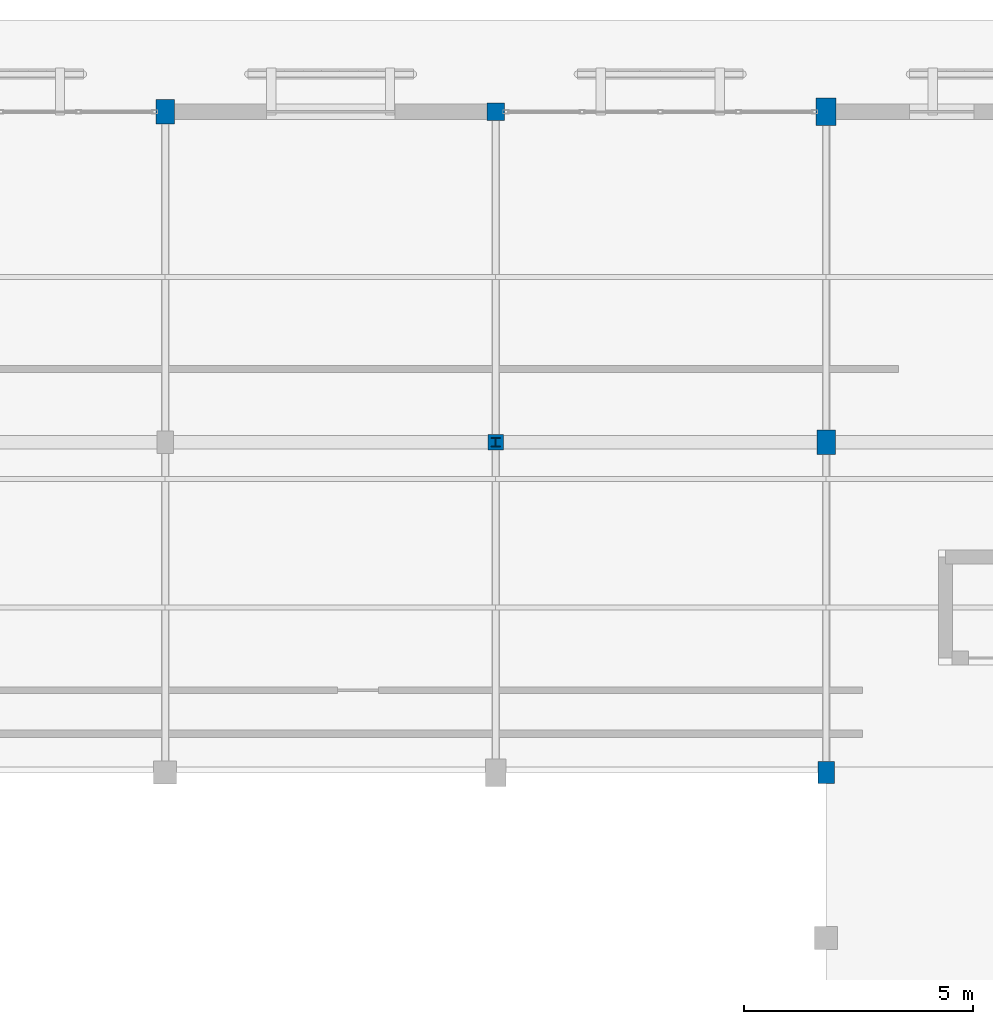
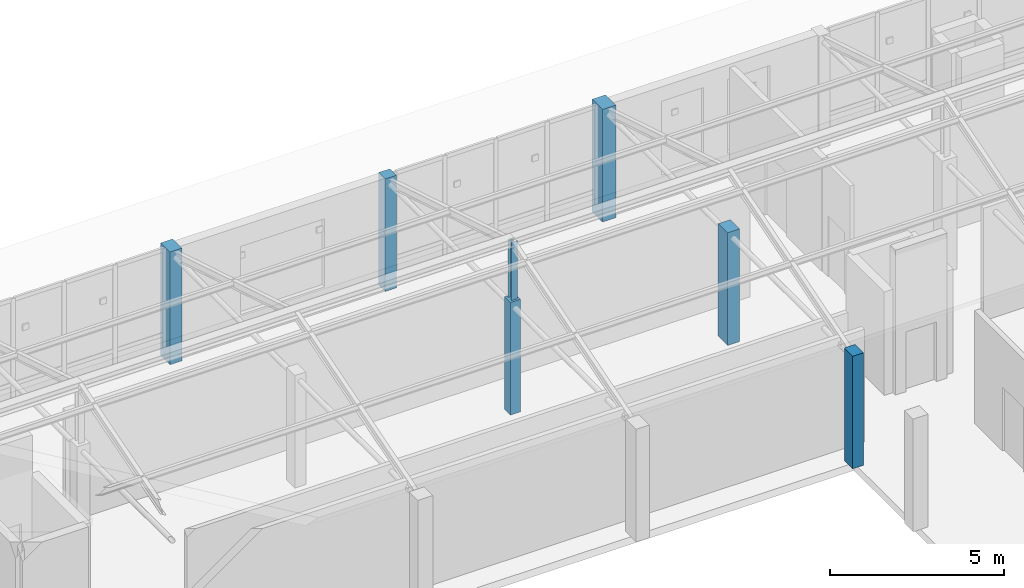
# One storey, part 7 of 61: 7 columns.
"""IFC4 building model written with IfcOpenShell, lengths in metres."""

from ifc_helpers import new_model, si_unit, direction, frame, origin, origin_2d, place, context, subcontext, project, spatial, rectangle, i_section, extrude, material, material_profile, profile_set, type_object, element, save


model = new_model("IFC4")

# Units and contexts
model_context = context("Model", 3, precision=1e-05, world=origin(), true_north=direction((0.0, 1.0)))
body_context = subcontext(model_context, "Body", "Model", "MODEL_VIEW")
ifc_project = project(units=[si_unit("LENGTHUNIT", "METRE"), si_unit("AREAUNIT", "SQUARE_METRE"), si_unit("VOLUMEUNIT", "CUBIC_METRE"), si_unit("PLANEANGLEUNIT", "RADIAN"), si_unit("MASSUNIT", "GRAM", prefix="KILO")], contexts=[model_context])

# Site, building, storey
site_placement = place(None, origin())
site = spatial("IfcSite", under=ifc_project, at=site_placement, CompositionType="ELEMENT")
building_placement = place(site_placement, origin())
building = spatial("IfcBuilding", under=site, at=building_placement, Name="Mazaris Harbour Polytechnic", CompositionType="ELEMENT")
storey_placement = place(building_placement, frame((0.0, 0.0, 18.0)))
storey = spatial("IfcBuildingStorey", under=building, at=storey_placement, Name="L04", CompositionType="ELEMENT", Elevation=18.0)

# Columns
ifc_material_1 = material(Name="Glulam GL28h", Category="wood")
ifc_material_profile_1 = material_profile(ifc_material_1, rectangle(XDim=0.340087890625, YDim=0.340087890625, at=origin_2d()), Name="RECT340x340")
ifc_profile_set_1 = profile_set([ifc_material_profile_1], Name="Glulam GL28h")
column_type_1 = type_object("IfcColumnType", Name="Glulam Column 340x340", PredefinedType="COLUMN", material=ifc_profile_set_1)
column_1_placement = place(storey_placement, frame((151.199951171875, 93.60009765625, 0.0), z_axis=(0.0, 0.0, 1.0), x_axis=(1.0, 0.0, 0.0)))
element("IfcColumn", 1, at=column_1_placement, inside=storey, type_object=column_type_1, Name="V5 L04 Column 1488", PredefinedType="COLUMN", context=body_context, shape_type="SweptSolid", body=[
    extrude(rectangle(XDim=0.340087890625, YDim=0.340087890625, at=origin_2d()), origin(), (0.0, 0.0, 1.0), 3.9599609375),
])
ifc_material_2 = material(Name="Glulam GL28h", Category="wood")
ifc_material_profile_2 = material_profile(ifc_material_2, rectangle(XDim=0.360107421875, YDim=0.47998046875, at=origin_2d()), Name="RECT360x480")
ifc_profile_set_2 = profile_set([ifc_material_profile_2], Name="Glulam GL28h")
column_type_2 = type_object("IfcColumnType", Name="Glulam Column 360x480", PredefinedType="COLUMN", material=ifc_profile_set_2)
column_2_placement = place(storey_placement, frame((158.39990234375, 86.39990234375, 0.0), z_axis=(0.0, 0.0, 1.0), x_axis=(1.0, 0.0, 0.0)))
element("IfcColumn", 2, at=column_2_placement, inside=storey, type_object=column_type_2, Name="V5 L04 Column 1493", PredefinedType="COLUMN", context=body_context, shape_type="SweptSolid", body=[
    extrude(rectangle(XDim=0.360107421875, YDim=0.47998046875, at=origin_2d()), origin(), (0.0, 0.0, 1.0), 3.9599609375),
])
ifc_material_3 = material(Name="Glulam GL28h", Category="wood")
ifc_material_profile_3 = material_profile(ifc_material_3, rectangle(XDim=0.3798828125, YDim=0.3798828125, at=origin_2d()), Name="RECT380x380")
ifc_profile_set_3 = profile_set([ifc_material_profile_3], Name="Glulam GL28h")
column_type_3 = type_object("IfcColumnType", Name="Glulam Column 380x380 Exterior", PredefinedType="COLUMN", material=ifc_profile_set_3)
column_3_placement = place(storey_placement, frame((151.199951171875, 100.800048828125, 0.0), z_axis=(0.0, 0.0, 1.0), x_axis=(1.0, 0.0, 0.0)))
element("IfcColumn", 3, at=column_3_placement, inside=storey, type_object=column_type_3, Name="V5 L04 Column 1489", PredefinedType="COLUMN", context=body_context, shape_type="SweptSolid", body=[
    extrude(rectangle(XDim=0.3798828125, YDim=0.3798828125, at=origin_2d()), origin(), (0.0, 0.0, 1.0), 3.9599609375),
])
ifc_material_4 = material(Name="Glulam GL28h", Category="wood")
ifc_material_profile_4 = material_profile(ifc_material_4, rectangle(XDim=0.39990234375, YDim=0.5400390625, at=origin_2d()), Name="RECT400x540")
ifc_profile_set_4 = profile_set([ifc_material_profile_4], Name="Glulam GL28h")
column_type_4 = type_object("IfcColumnType", Name="Glulam Column 400x540", PredefinedType="COLUMN", material=ifc_profile_set_4)
column_4_placement = place(storey_placement, frame((158.39990234375, 93.60009765625, 0.0), z_axis=(0.0, 0.0, 1.0), x_axis=(1.0, 0.0, 0.0)))
element("IfcColumn", 4, at=column_4_placement, inside=storey, type_object=column_type_4, Name="V5 L04 Column 1494", PredefinedType="COLUMN", context=body_context, shape_type="SweptSolid", body=[
    extrude(rectangle(XDim=0.39990234375, YDim=0.5400390625, at=origin_2d()), origin(), (0.0, 0.0, 1.0), 3.9599609375),
])
ifc_material_5 = material(Name="Glulam GL28h", Category="wood")
ifc_material_profile_5 = material_profile(ifc_material_5, rectangle(XDim=0.39990234375, YDim=0.5400390625, at=origin_2d()), Name="RECT400x540")
ifc_profile_set_5 = profile_set([ifc_material_profile_5], Name="Glulam GL28h")
column_type_5 = type_object("IfcColumnType", Name="Glulam Column 400x540 Exterior", PredefinedType="COLUMN", material=ifc_profile_set_5)
column_5_placement = place(storey_placement, frame((144.0, 100.800048828125, 0.0), z_axis=(0.0, 0.0, 1.0), x_axis=(1.0, 0.0, 0.0)))
element("IfcColumn", 5, at=column_5_placement, inside=storey, type_object=column_type_5, Name="V5 L04 Column 1486", PredefinedType="COLUMN", context=body_context, shape_type="SweptSolid", body=[
    extrude(rectangle(XDim=0.39990234375, YDim=0.5400390625, at=origin_2d()), origin(), (0.0, 0.0, 1.0), 3.9599609375),
])
ifc_material_6 = material(Name="Glulam GL28h", Category="wood")
ifc_material_profile_6 = material_profile(ifc_material_6, rectangle(XDim=0.43994140625, YDim=0.60009765625, at=origin_2d()), Name="RECT440x600")
ifc_profile_set_6 = profile_set([ifc_material_profile_6], Name="Glulam GL28h")
column_type_6 = type_object("IfcColumnType", Name="Glulam Column 440x600 Exterior", PredefinedType="COLUMN", material=ifc_profile_set_6)
column_6_placement = place(storey_placement, frame((158.39990234375, 100.800048828125, 0.0), z_axis=(0.0, 0.0, 1.0), x_axis=(1.0, 0.0, 0.0)))
element("IfcColumn", 6, at=column_6_placement, inside=storey, type_object=column_type_6, Name="V5 L04 Column 1495", PredefinedType="COLUMN", context=body_context, shape_type="SweptSolid", body=[
    extrude(rectangle(XDim=0.43994140625, YDim=0.60009765625, at=origin_2d()), origin(), (0.0, 0.0, 1.0), 3.9599609375),
])
ifc_material_7 = material(Name="Steel S355", Category="steel")
ifc_material_profile_7 = material_profile(ifc_material_7, i_section(OverallWidth=0.199951171875, OverallDepth=0.199951171875, WebThickness=0.009033203125, FlangeThickness=0.014892578125, FilletRadius=0.01806640625, at=origin_2d()), Name="HEB 200")
ifc_profile_set_7 = profile_set([ifc_material_profile_7], Name="Steel S355")
column_type_7 = type_object("IfcColumnType", Name="Steel Column HEB200", PredefinedType="COLUMN", material=ifc_profile_set_7)
column_7_placement = place(storey_placement, frame((151.199951171875, 93.60009765625, 3.9599609375), z_axis=(0.0, 0.0, 1.0), x_axis=(1.0, 0.0, 0.0)))
element("IfcColumn", 7, at=column_7_placement, inside=storey, type_object=column_type_7, Name="V5 Studio Ridge King Post 151.2", PredefinedType="COLUMN", context=body_context, shape_type="SweptSolid", body=[
    extrude(i_section(OverallWidth=0.199951171875, OverallDepth=0.199951171875, WebThickness=0.009033203125, FlangeThickness=0.014892578125, FilletRadius=0.01806640625, at=origin_2d()), origin(), (0.0, 0.0, 1.0), 2.0400390625),
])

save(model, "model.ifc")
